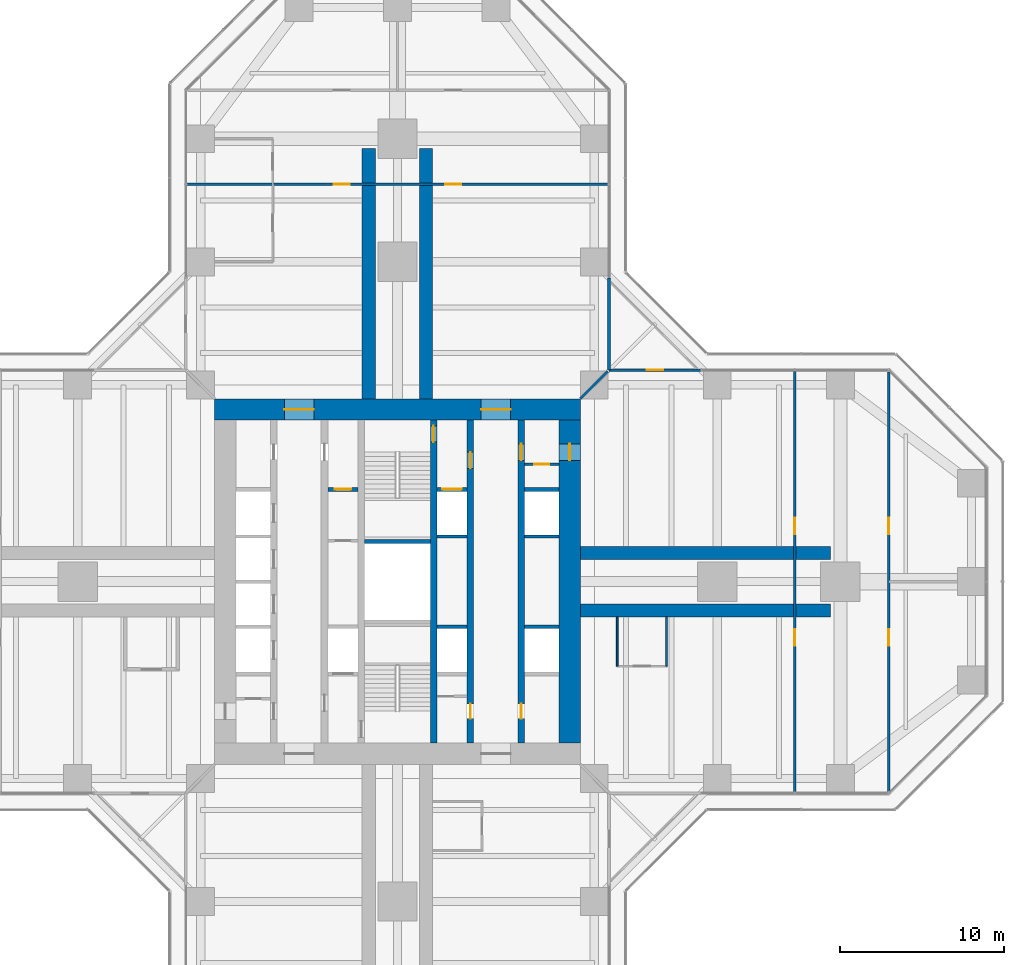
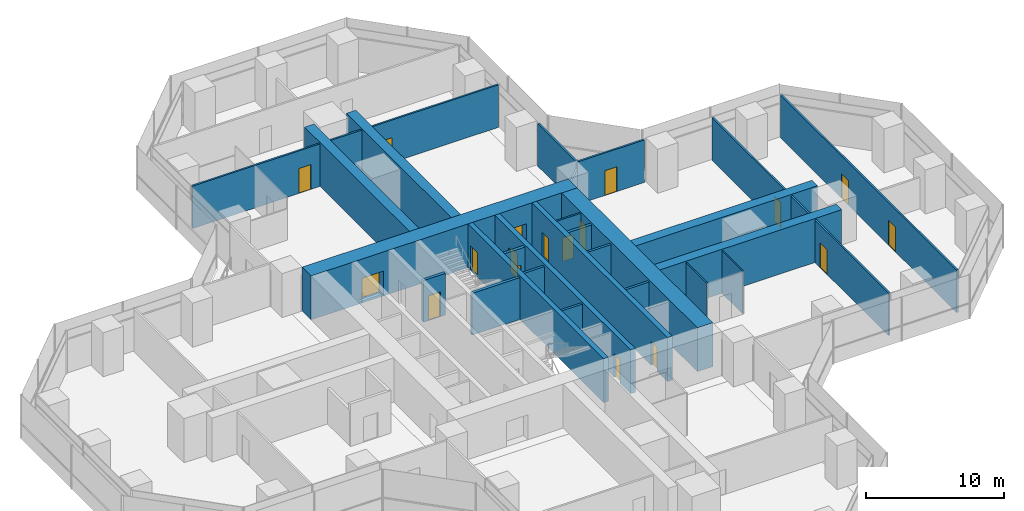
# One storey, part 19 of 22: 26 walls, 18 doors, 18 openings.
"""IFC4 building model written with IfcOpenShell, lengths in metres."""

from ifc_helpers import new_model, si_unit, direction, frame, frame_2d, origin, place, context, subcontext, project, spatial, rectangle, extrude, material, layer, layer_set, type_object, element, fill, save


model = new_model("IFC4")

# Units and contexts
model_context = context("Model", 3, precision=1e-05, world=origin(), true_north=direction((0.0, 1.0)))
body_context = subcontext(model_context, "Body", "Model", "MODEL_VIEW")
ifc_project = project(units=[si_unit("LENGTHUNIT", "METRE"), si_unit("AREAUNIT", "SQUARE_METRE"), si_unit("VOLUMEUNIT", "CUBIC_METRE"), si_unit("PLANEANGLEUNIT", "RADIAN"), si_unit("MASSUNIT", "GRAM", prefix="KILO")], contexts=[model_context])

# Site, building, storey
site_placement = place(None, origin())
site = spatial("IfcSite", under=ifc_project, at=site_placement, CompositionType="ELEMENT")
building_placement = place(site_placement, origin())
building = spatial("IfcBuilding", under=site, at=building_placement, Name="Mizan Broadcast Tower", CompositionType="ELEMENT")
storey_placement = place(building_placement, frame((0.0, 0.0, 105.89990234375)))
storey = spatial("IfcBuildingStorey", under=building, at=storey_placement, Name="L23", CompositionType="ELEMENT", Elevation=105.89990234375)

# Wall, openings, doors
ifc_material_1 = material(Name="Concrete C70/85", Category="concrete")
ifc_layer_1 = layer(ifc_material_1, 0.39990234375)
ifc_layer_set_1 = layer_set([ifc_layer_1], Name="Concrete C70/85")
wall_type_1 = type_object("IfcWallType", Name="CORE INTERNAL WALL 400", PredefinedType="SHEAR", material=ifc_layer_set_1)
wall_1_placement = place(storey_placement, frame((7.550048828125, 9.85009765625, 0.0), z_axis=(0.0, 0.0, 1.0), x_axis=(0.0, -1.0, 0.0)))
wall_1 = element("IfcWall", 1, at=wall_1_placement, inside=storey, type_object=wall_type_1, Name="Core wall CORE/XW1E", PredefinedType="SHEAR", context=body_context, shape_type="SweptSolid", body=[
    extrude(rectangle(XDim=19.7001953125, YDim=0.39990234375, at=frame_2d((9.85009765625, 0.0))), origin(), (0.0, 0.0, 1.0), 3.900146484375),
])
opening_1_placement = place(wall_1_placement, frame((1.449951171875, 0.0, 0.0)))
opening_1 = element("IfcOpeningElement", 2, at=opening_1_placement, cuts=wall_1, Name="Opening D10F", PredefinedType="OPENING", context=body_context, shape_type="SweptSolid", body=[
    extrude(rectangle(XDim=1.0, YDim=2.199951171875, at=frame_2d((0.5, 1.10009765625))), frame((0.0, 0.2099609375, 0.0), z_axis=(0.0, -1.0, 0.0), x_axis=(1.0, 0.0, 0.0)), (0.0, 0.0, 1.0), 0.419921875),
])
opening_2_placement = place(wall_1_placement, frame((17.300048828125, 0.0, 0.0)))
opening_2 = element("IfcOpeningElement", 3, at=opening_2_placement, cuts=wall_1, Name="Opening D09", PredefinedType="OPENING", context=body_context, shape_type="SweptSolid", body=[
    extrude(rectangle(XDim=0.89990234375, YDim=2.10009765625, at=frame_2d((0.449951171875, 1.050048828125))), frame((0.0, 0.2099609375, 0.0), z_axis=(0.0, -1.0, 0.0), x_axis=(1.0, 0.0, 0.0)), (0.0, 0.0, 1.0), 0.419921875),
])
ifc_material_2 = material(Name="Steel door leaf in steel frame", Category="steel")
door_type_1 = type_object("IfcDoorType", Name="FIRE DOOR 1000 FD90", OperationType="SINGLE_SWING_LEFT", PredefinedType="DOOR", material=ifc_material_2)
door_1_placement = place(opening_1_placement, origin())
door_1 = element("IfcDoor", 4, at=door_1_placement, inside=storey, type_object=door_type_1, Name="East core passage door", OperationType="SINGLE_SWING_LEFT", OverallHeight=2.199951171875, OverallWidth=1.0, PredefinedType="DOOR", context=body_context, shape_type="SweptSolid", body=[
    extrude(rectangle(XDim=1.0, YDim=2.199951171875, at=frame_2d((0.5, 1.10009765625))), frame((0.0, 0.02490234375, 0.0), z_axis=(0.0, -1.0, 0.0), x_axis=(1.0, 0.0, 0.0)), (0.0, 0.0, 1.0), 0.050048828125),
])
fill(opening_1, door_1)
ifc_material_3 = material(Name="Timber door leaf in aluminium frame", Category="wood")
door_type_2 = type_object("IfcDoorType", Name="TOILET DOOR 900", OperationType="SINGLE_SWING_LEFT", PredefinedType="DOOR", material=ifc_material_3)
door_2_placement = place(opening_2_placement, origin())
door_2 = element("IfcDoor", 5, at=door_2_placement, inside=storey, type_object=door_type_2, Name="Female WC door", OperationType="SINGLE_SWING_RIGHT", OverallHeight=2.10009765625, OverallWidth=0.89990234375, PredefinedType="DOOR", context=body_context, shape_type="SweptSolid", body=[
    extrude(rectangle(XDim=0.89990234375, YDim=2.10009765625, at=frame_2d((0.449951171875, 1.050048828125))), frame((0.0, 0.02490234375, 0.0), z_axis=(0.0, -1.0, 0.0), x_axis=(1.0, 0.0, 0.0)), (0.0, 0.0, 1.0), 0.050048828125),
])
fill(opening_2, door_2)

wall_2_placement = place(storey_placement, frame((4.449951171875, 9.85009765625, 0.0), z_axis=(0.0, 0.0, 1.0), x_axis=(0.0, -1.0, 0.0)))
wall_2 = element("IfcWall", 6, at=wall_2_placement, inside=storey, type_object=wall_type_1, Name="Core wall CORE/XWHE", PredefinedType="SHEAR", context=body_context, shape_type="SweptSolid", body=[
    extrude(rectangle(XDim=19.7001953125, YDim=0.39990234375, at=frame_2d((9.85009765625, 0.0))), origin(), (0.0, 0.0, 1.0), 3.900146484375),
])
opening_3_placement = place(wall_2_placement, frame((1.949951171875, 0.0, 0.0)))
opening_3 = element("IfcOpeningElement", 7, at=opening_3_placement, cuts=wall_2, Name="Opening D10F", PredefinedType="OPENING", context=body_context, shape_type="SweptSolid", body=[
    extrude(rectangle(XDim=1.0, YDim=2.199951171875, at=frame_2d((0.5, 1.10009765625))), frame((0.0, 0.2099609375, 0.0), z_axis=(0.0, -1.0, 0.0), x_axis=(1.0, 0.0, 0.0)), (0.0, 0.0, 1.0), 0.419921875),
])
opening_4_placement = place(wall_2_placement, frame((17.300048828125, 0.0, 0.0)))
opening_4 = element("IfcOpeningElement", 8, at=opening_4_placement, cuts=wall_2, Name="Opening D09", PredefinedType="OPENING", context=body_context, shape_type="SweptSolid", body=[
    extrude(rectangle(XDim=0.89990234375, YDim=2.10009765625, at=frame_2d((0.449951171875, 1.050048828125))), frame((0.0, 0.2099609375, 0.0), z_axis=(0.0, -1.0, 0.0), x_axis=(1.0, 0.0, 0.0)), (0.0, 0.0, 1.0), 0.419921875),
])
door_3_placement = place(opening_3_placement, origin())
door_3 = element("IfcDoor", 9, at=door_3_placement, inside=storey, type_object=door_type_1, Name="Firefighting lobby B door", OperationType="SINGLE_SWING_LEFT", OverallHeight=2.199951171875, OverallWidth=1.0, PredefinedType="DOOR", context=body_context, shape_type="SweptSolid", body=[
    extrude(rectangle(XDim=1.0, YDim=2.199951171875, at=frame_2d((0.5, 1.10009765625))), frame((0.0, 0.02490234375, 0.0), z_axis=(0.0, -1.0, 0.0), x_axis=(1.0, 0.0, 0.0)), (0.0, 0.0, 1.0), 0.050048828125),
])
fill(opening_3, door_3)
door_4_placement = place(opening_4_placement, origin())
door_4 = element("IfcDoor", 10, at=door_4_placement, inside=storey, type_object=door_type_2, Name="Cleaner's store door", OperationType="SINGLE_SWING_RIGHT", OverallHeight=2.10009765625, OverallWidth=0.89990234375, PredefinedType="DOOR", context=body_context, shape_type="SweptSolid", body=[
    extrude(rectangle(XDim=0.89990234375, YDim=2.10009765625, at=frame_2d((0.449951171875, 1.050048828125))), frame((0.0, 0.02490234375, 0.0), z_axis=(0.0, -1.0, 0.0), x_axis=(1.0, 0.0, 0.0)), (0.0, 0.0, 1.0), 0.050048828125),
])
fill(opening_4, door_4)

# Wall, opening, door
wall_3_placement = place(storey_placement, frame((2.199951171875, 9.85009765625, 0.0), z_axis=(0.0, 0.0, 1.0), x_axis=(0.0, -1.0, 0.0)))
wall_3 = element("IfcWall", 11, at=wall_3_placement, inside=storey, type_object=wall_type_1, Name="Core wall CORE/XW2E", PredefinedType="SHEAR", context=body_context, shape_type="SweptSolid", body=[
    extrude(rectangle(XDim=19.7001953125, YDim=0.39990234375, at=frame_2d((9.85009765625, 0.0))), origin(), (0.0, 0.0, 1.0), 3.900146484375),
])
opening_5_placement = place(wall_3_placement, frame((0.35009765625, 0.0, 0.0)))
opening_5 = element("IfcOpeningElement", 12, at=opening_5_placement, cuts=wall_3, Name="Opening D10S", PredefinedType="OPENING", context=body_context, shape_type="SweptSolid", body=[
    extrude(rectangle(XDim=1.0, YDim=2.199951171875, at=frame_2d((0.5, 1.10009765625))), frame((0.0, 0.2099609375, 0.0), z_axis=(0.0, -1.0, 0.0), x_axis=(1.0, 0.0, 0.0)), (0.0, 0.0, 1.0), 0.419921875),
])
ifc_material_4 = material(Name="Steel door leaf in steel frame", Category="steel")
door_type_3 = type_object("IfcDoorType", Name="STAIR DOOR 1000 FD90S", OperationType="SINGLE_SWING_RIGHT", PredefinedType="DOOR", material=ifc_material_4)
door_5_placement = place(opening_5_placement, origin())
door_5 = element("IfcDoor", 13, at=door_5_placement, inside=storey, type_object=door_type_3, Name="Stair B door", OperationType="SINGLE_SWING_RIGHT", OverallHeight=2.199951171875, OverallWidth=1.0, PredefinedType="DOOR", context=body_context, shape_type="SweptSolid", body=[
    extrude(rectangle(XDim=1.0, YDim=2.199951171875, at=frame_2d((0.5, 1.10009765625))), frame((0.0, 0.02490234375, 0.0), z_axis=(0.0, -1.0, 0.0), x_axis=(1.0, 0.0, 0.0)), (0.0, 0.0, 1.0), 0.050048828125),
])
fill(opening_5, door_5)

ifc_material_5 = material(Name="Concrete blockwork", Category="masonry")
ifc_layer_2 = layer(ifc_material_5, 0.14990234375)
ifc_layer_set_2 = layer_set([ifc_layer_2], Name="Concrete blockwork")
wall_type_2 = type_object("IfcWallType", Name="CORE PARTITION 150", PredefinedType="SOLIDWALL", material=ifc_layer_set_2)
wall_4_placement = place(storey_placement, frame((9.85009765625, 7.14990234375, 0.0), z_axis=(0.0, 0.0, 1.0), x_axis=(-1.0, 0.0, 0.0)))
wall_4 = element("IfcWall", 14, at=wall_4_placement, inside=storey, type_object=wall_type_2, Name="Core partition CORE/XPE", PredefinedType="SOLIDWALL", context=body_context, shape_type="SweptSolid", body=[
    extrude(rectangle(XDim=2.10009765625, YDim=0.14990234375, at=frame_2d((1.050048828125, 0.0))), origin(), (0.0, 0.0, 1.0), 3.77001953125),
])
opening_6_placement = place(wall_4_placement, frame((0.60009765625, 0.0, 0.0)))
opening_6 = element("IfcOpeningElement", 15, at=opening_6_placement, cuts=wall_4, Name="Opening D09F", PredefinedType="OPENING", context=body_context, shape_type="SweptSolid", body=[
    extrude(rectangle(XDim=0.89990234375, YDim=2.10009765625, at=frame_2d((0.449951171875, 1.050048828125))), frame((0.0, 0.0849609375, 0.0), z_axis=(0.0, -1.0, 0.0), x_axis=(1.0, 0.0, 0.0)), (0.0, 0.0, 1.0), 0.169921875),
])
ifc_material_6 = material(Name="Steel door leaf in steel frame", Category="steel")
door_type_4 = type_object("IfcDoorType", Name="CORE ROOM DOOR 900 FD90", OperationType="SINGLE_SWING_LEFT", PredefinedType="DOOR", material=ifc_material_6)
door_6_placement = place(opening_6_placement, origin())
door_6 = element("IfcDoor", 16, at=door_6_placement, inside=storey, type_object=door_type_4, Name="Electrical cupboard door", OperationType="SINGLE_SWING_RIGHT", OverallHeight=2.10009765625, OverallWidth=0.89990234375, PredefinedType="DOOR", context=body_context, shape_type="SweptSolid", body=[
    extrude(rectangle(XDim=0.89990234375, YDim=2.10009765625, at=frame_2d((0.449951171875, 1.050048828125))), frame((0.0, 0.02490234375, 0.0), z_axis=(0.0, -1.0, 0.0), x_axis=(1.0, 0.0, 0.0)), (0.0, 0.0, 1.0), 0.050048828125),
])
fill(opening_6, door_6)

# Wall, openings, doors
ifc_material_7 = material(Name="Concrete C70/85", Category="concrete")
ifc_layer_3 = layer(ifc_material_7, 1.300048828125)
ifc_layer_set_3 = layer_set([ifc_layer_3], Name="Concrete C70/85")
wall_type_3 = type_object("IfcWallType", Name="CORE WALL 1300", PredefinedType="SHEAR", material=ifc_layer_set_3)
wall_5_placement = place(storey_placement, frame((-11.14990234375, 10.5, 0.0), z_axis=(0.0, 0.0, 1.0), x_axis=(1.0, 0.0, 0.0)))
wall_5 = element("IfcWall", 17, at=wall_5_placement, inside=storey, type_object=wall_type_3, Name="Core wall N L23", PredefinedType="SHEAR", context=body_context, shape_type="SweptSolid", body=[
    extrude(rectangle(XDim=22.2998046875, YDim=1.300048828125, at=frame_2d((11.14990234375, 0.0))), origin(), (0.0, 0.0, 1.0), 3.900146484375),
])
opening_7_placement = place(wall_5_placement, frame((4.25, 0.0, 0.0)))
opening_7 = element("IfcOpeningElement", 18, at=opening_7_placement, cuts=wall_5, Name="Opening D18F", PredefinedType="OPENING", context=body_context, shape_type="SweptSolid", body=[
    extrude(rectangle(XDim=1.800048828125, YDim=2.199951171875, at=frame_2d((0.89990234375, 1.10009765625))), frame((0.0, 0.659912109375, 0.0), z_axis=(0.0, -1.0, 0.0), x_axis=(1.0, 0.0, 0.0)), (0.0, 0.0, 1.0), 1.320068359375),
])
opening_8_placement = place(wall_5_placement, frame((16.25, 0.0, 0.0)))
opening_8 = element("IfcOpeningElement", 19, at=opening_8_placement, cuts=wall_5, Name="Opening D18F", PredefinedType="OPENING", context=body_context, shape_type="SweptSolid", body=[
    extrude(rectangle(XDim=1.800048828125, YDim=2.199951171875, at=frame_2d((0.89990234375, 1.10009765625))), frame((0.0, 0.659912109375, 0.0), z_axis=(0.0, -1.0, 0.0), x_axis=(1.0, 0.0, 0.0)), (0.0, 0.0, 1.0), 1.320068359375),
])
ifc_material_8 = material(Name="Steel door leaf in steel frame", Category="steel")
door_type_5 = type_object("IfcDoorType", Name="LOBBY DOUBLE DOOR 1800 FD90", OperationType="DOUBLE_DOOR_DOUBLE_SWING", PredefinedType="DOOR", material=ifc_material_8)
door_7_placement = place(opening_7_placement, origin())
door_7 = element("IfcDoor", 20, at=door_7_placement, inside=storey, type_object=door_type_5, Name="West lift lobby north door", OperationType="DOUBLE_DOOR_DOUBLE_SWING", OverallHeight=2.199951171875, OverallWidth=1.800048828125, PredefinedType="DOOR", context=body_context, shape_type="SweptSolid", body=[
    extrude(rectangle(XDim=1.800048828125, YDim=2.199951171875, at=frame_2d((0.89990234375, 1.10009765625))), frame((0.0, 0.02490234375, 0.0), z_axis=(0.0, -1.0, 0.0), x_axis=(1.0, 0.0, 0.0)), (0.0, 0.0, 1.0), 0.050048828125),
])
fill(opening_7, door_7)
door_8_placement = place(opening_8_placement, origin())
door_8 = element("IfcDoor", 21, at=door_8_placement, inside=storey, type_object=door_type_5, Name="East lift lobby north door", OperationType="DOUBLE_DOOR_DOUBLE_SWING", OverallHeight=2.199951171875, OverallWidth=1.800048828125, PredefinedType="DOOR", context=body_context, shape_type="SweptSolid", body=[
    extrude(rectangle(XDim=1.800048828125, YDim=2.199951171875, at=frame_2d((0.89990234375, 1.10009765625))), frame((0.0, 0.02490234375, 0.0), z_axis=(0.0, -1.0, 0.0), x_axis=(1.0, 0.0, 0.0)), (0.0, 0.0, 1.0), 0.050048828125),
])
fill(opening_8, door_8)

# Wall, opening, door
wall_6_placement = place(storey_placement, frame((10.5, -9.85009765625, 0.0), z_axis=(0.0, 0.0, 1.0), x_axis=(0.0, 1.0, 0.0)))
wall_6 = element("IfcWall", 22, at=wall_6_placement, inside=storey, type_object=wall_type_3, Name="Core wall E L23", PredefinedType="SHEAR", context=body_context, shape_type="SweptSolid", body=[
    extrude(rectangle(XDim=19.7001953125, YDim=1.300048828125, at=frame_2d((9.85009765625, 0.0))), origin(), (0.0, 0.0, 1.0), 3.900146484375),
])
opening_9_placement = place(wall_6_placement, frame((17.25, 0.0, 0.0)))
opening_9 = element("IfcOpeningElement", 23, at=opening_9_placement, cuts=wall_6, Name="Opening D10F", PredefinedType="OPENING", context=body_context, shape_type="SweptSolid", body=[
    extrude(rectangle(XDim=1.0, YDim=2.199951171875, at=frame_2d((0.5, 1.10009765625))), frame((0.0, 0.659912109375, 0.0), z_axis=(0.0, -1.0, 0.0), x_axis=(1.0, 0.0, 0.0)), (0.0, 0.0, 1.0), 1.320068359375),
])
door_9_placement = place(opening_9_placement, origin())
door_9 = element("IfcDoor", 24, at=door_9_placement, inside=storey, type_object=door_type_1, Name="East core passage arm door", OperationType="SINGLE_SWING_RIGHT", OverallHeight=2.199951171875, OverallWidth=1.0, PredefinedType="DOOR", context=body_context, shape_type="SweptSolid", body=[
    extrude(rectangle(XDim=1.0, YDim=2.199951171875, at=frame_2d((0.5, 1.10009765625))), frame((0.0, 0.02490234375, 0.0), z_axis=(0.0, -1.0, 0.0), x_axis=(1.0, 0.0, 0.0)), (0.0, 0.0, 1.0), 0.050048828125),
])
fill(opening_9, door_9)

ifc_material_9 = material(Name="Aluminium framed glazed screen", Category="aluminium")
ifc_layer_4 = layer(ifc_material_9, 0.159912109375)
ifc_layer_set_4 = layer_set([ifc_layer_4], Name="Aluminium framed glazed screen")
wall_type_4 = type_object("IfcWallType", Name="GLAZED SCREEN WALL 160", PredefinedType="SOLIDWALL", material=ifc_layer_set_4)
wall_7_placement = place(storey_placement, frame((18.5, 12.89990234375, 0.0), z_axis=(0.0, 0.0, 1.0), x_axis=(-1.0, 0.0, 0.0)))
wall_7 = element("IfcWall", 25, at=wall_7_placement, inside=storey, type_object=wall_type_4, Name="Winter garden screen L23 E", PredefinedType="SOLIDWALL", context=body_context, shape_type="SweptSolid", body=[
    extrude(rectangle(XDim=5.60009765625, YDim=0.159912109375, at=frame_2d((2.800048828125, 0.0))), origin(), (0.0, 0.0, 1.0), 3.77001953125),
])
opening_10_placement = place(wall_7_placement, frame((2.300048828125, 0.0, 0.0)))
opening_10 = element("IfcOpeningElement", 26, at=opening_10_placement, cuts=wall_7, Name="Opening WGD", PredefinedType="OPENING", context=body_context, shape_type="SweptSolid", body=[
    extrude(rectangle(XDim=1.0, YDim=2.199951171875, at=frame_2d((0.5, 1.10009765625))), frame((0.0, 0.08984375, 0.0), z_axis=(0.0, -1.0, 0.0), x_axis=(1.0, 0.0, 0.0)), (0.0, 0.0, 1.0), 0.179931640625),
])
ifc_material_10 = material(Name="Aluminium framed glazed door", Category="aluminium")
door_type_6 = type_object("IfcDoorType", Name="WINTER GARDEN DOOR 1000 GLAZED", OperationType="SINGLE_SWING_LEFT", PredefinedType="DOOR", material=ifc_material_10)
door_10_placement = place(opening_10_placement, origin())
door_10 = element("IfcDoor", 27, at=door_10_placement, inside=storey, type_object=door_type_6, Name="Winter garden door L23 E", OperationType="SINGLE_SWING_RIGHT", OverallHeight=2.199951171875, OverallWidth=1.0, PredefinedType="DOOR", context=body_context, shape_type="SweptSolid", body=[
    extrude(rectangle(XDim=1.0, YDim=2.199951171875, at=frame_2d((0.5, 1.10009765625))), frame((0.0, 0.02490234375, 0.0), z_axis=(0.0, -1.0, 0.0), x_axis=(1.0, 0.0, 0.0)), (0.0, 0.0, 1.0), 0.050048828125),
])
fill(opening_10, door_10)

# Walls
wall_8_placement = place(storey_placement, frame((12.89990234375, 12.89990234375, 0.0), z_axis=(0.0, 0.0, 1.0), x_axis=(0.0, 1.0, 0.0)))
element("IfcWall", 28, at=wall_8_placement, inside=storey, type_object=wall_type_4, Name="Winter garden screen L23 N", PredefinedType="SOLIDWALL", context=body_context, shape_type="SweptSolid", body=[
    extrude(rectangle(XDim=5.60009765625, YDim=0.159912109375, at=frame_2d((2.800048828125, 0.0))), origin(), (0.0, 0.0, 1.0), 3.77001953125),
])
ifc_material_11 = material(Name="Concrete blockwork", Category="masonry")
ifc_layer_5 = layer(ifc_material_11, 0.199951171875)
ifc_layer_set_5 = layer_set([ifc_layer_5], Name="Concrete blockwork")
wall_type_5 = type_object("IfcWallType", Name="LIFT SHAFT WALL 200", PredefinedType="SOLIDWALL", material=ifc_layer_set_5)
wall_9_placement = place(storey_placement, frame((2.39990234375, -2.75, 0.0), z_axis=(0.0, 0.0, 1.0), x_axis=(1.0, 0.0, 0.0)))
element("IfcWall", 29, at=wall_9_placement, inside=storey, type_object=wall_type_5, Name="Lift shaft wall CORE/SE2-1", PredefinedType="SOLIDWALL", context=body_context, shape_type="SweptSolid", body=[
    extrude(rectangle(XDim=1.85009765625, YDim=0.199951171875, at=frame_2d((0.925048828125, 0.0))), origin(), (0.0, 0.0, 1.0), 3.7001953125),
])
wall_10_placement = place(storey_placement, frame((7.75, -2.75, 0.0), z_axis=(0.0, 0.0, 1.0), x_axis=(1.0, 0.0, 0.0)))
element("IfcWall", 30, at=wall_10_placement, inside=storey, type_object=wall_type_5, Name="Lift shaft wall CORE/SE1-1", PredefinedType="SOLIDWALL", context=body_context, shape_type="SweptSolid", body=[
    extrude(rectangle(XDim=2.10009765625, YDim=0.199951171875, at=frame_2d((1.050048828125, 0.0))), origin(), (0.0, 0.0, 1.0), 3.7001953125),
])
wall_11_placement = place(storey_placement, frame((2.39990234375, 2.75, 0.0), z_axis=(0.0, 0.0, 1.0), x_axis=(1.0, 0.0, 0.0)))
element("IfcWall", 31, at=wall_11_placement, inside=storey, type_object=wall_type_5, Name="Lift shaft wall CORE/SE2-3", PredefinedType="SOLIDWALL", context=body_context, shape_type="SweptSolid", body=[
    extrude(rectangle(XDim=1.85009765625, YDim=0.199951171875, at=frame_2d((0.925048828125, 0.0))), origin(), (0.0, 0.0, 1.0), 3.7001953125),
])
wall_12_placement = place(storey_placement, frame((7.75, 2.75, 0.0), z_axis=(0.0, 0.0, 1.0), x_axis=(1.0, 0.0, 0.0)))
element("IfcWall", 32, at=wall_12_placement, inside=storey, type_object=wall_type_5, Name="Lift shaft wall CORE/SE1-3", PredefinedType="SOLIDWALL", context=body_context, shape_type="SweptSolid", body=[
    extrude(rectangle(XDim=2.10009765625, YDim=0.199951171875, at=frame_2d((1.050048828125, 0.0))), origin(), (0.0, 0.0, 1.0), 3.7001953125),
])

# Wall, opening, door
ifc_material_12 = material(Name="Concrete blockwork", Category="masonry")
ifc_layer_6 = layer(ifc_material_12, 0.25)
ifc_layer_set_6 = layer_set([ifc_layer_6], Name="Concrete blockwork")
wall_type_6 = type_object("IfcWallType", Name="LOBBY ENCLOSURE WALL 250", PredefinedType="SOLIDWALL", material=ifc_layer_set_6)
wall_13_placement = place(storey_placement, frame((-4.25, 5.625, 0.0), z_axis=(0.0, 0.0, 1.0), x_axis=(1.0, 0.0, 0.0)))
wall_13 = element("IfcWall", 33, at=wall_13_placement, inside=storey, type_object=wall_type_6, Name="Lobby enclosure wall CORE/BW2N", PredefinedType="SOLIDWALL", context=body_context, shape_type="SweptSolid", body=[
    extrude(rectangle(XDim=1.85009765625, YDim=0.25, at=frame_2d((0.925048828125, 0.0))), origin(), (0.0, 0.0, 1.0), 3.7001953125),
])
opening_11_placement = place(wall_13_placement, frame((0.425048828125, 0.0, 0.0)))
opening_11 = element("IfcOpeningElement", 34, at=opening_11_placement, cuts=wall_13, Name="Opening D10F", PredefinedType="OPENING", context=body_context, shape_type="SweptSolid", body=[
    extrude(rectangle(XDim=1.0, YDim=2.199951171875, at=frame_2d((0.5, 1.10009765625))), frame((0.0, 0.135009765625, 0.0), z_axis=(0.0, -1.0, 0.0), x_axis=(1.0, 0.0, 0.0)), (0.0, 0.0, 1.0), 0.27001953125),
])
door_11_placement = place(opening_11_placement, origin())
door_11 = element("IfcDoor", 35, at=door_11_placement, inside=storey, type_object=door_type_1, Name="Baby change room door", OperationType="SINGLE_SWING_RIGHT", OverallHeight=2.199951171875, OverallWidth=1.0, PredefinedType="DOOR", context=body_context, shape_type="SweptSolid", body=[
    extrude(rectangle(XDim=1.0, YDim=2.199951171875, at=frame_2d((0.5, 1.10009765625))), frame((0.0, 0.02490234375, 0.0), z_axis=(0.0, -1.0, 0.0), x_axis=(1.0, 0.0, 0.0)), (0.0, 0.0, 1.0), 0.050048828125),
])
fill(opening_11, door_11)

wall_14_placement = place(storey_placement, frame((2.39990234375, 5.625, 0.0), z_axis=(0.0, 0.0, 1.0), x_axis=(1.0, 0.0, 0.0)))
wall_14 = element("IfcWall", 36, at=wall_14_placement, inside=storey, type_object=wall_type_6, Name="Lobby enclosure wall CORE/BE2N", PredefinedType="SOLIDWALL", context=body_context, shape_type="SweptSolid", body=[
    extrude(rectangle(XDim=1.85009765625, YDim=0.25, at=frame_2d((0.925048828125, 0.0))), origin(), (0.0, 0.0, 1.0), 3.7001953125),
])
opening_12_placement = place(wall_14_placement, frame((0.324951171875, 0.0, 0.0)))
opening_12 = element("IfcOpeningElement", 37, at=opening_12_placement, cuts=wall_14, Name="Opening LDF", PredefinedType="OPENING", context=body_context, shape_type="SweptSolid", body=[
    extrude(rectangle(XDim=1.199951171875, YDim=2.199951171875, at=frame_2d((0.60009765625, 1.10009765625))), frame((0.0, 0.135009765625, 0.0), z_axis=(0.0, -1.0, 0.0), x_axis=(1.0, 0.0, 0.0)), (0.0, 0.0, 1.0), 0.27001953125),
])
ifc_material_13 = material(Name="Steel door leaf in steel frame", Category="steel")
door_type_7 = type_object("IfcDoorType", Name="FIREFIGHTING LIFT LANDING DOOR 1200", OperationType="SLIDING_TO_LEFT", PredefinedType="DOOR", material=ifc_material_13)
door_12_placement = place(opening_12_placement, origin())
door_12 = element("IfcDoor", 38, at=door_12_placement, inside=storey, type_object=door_type_7, Name="Landing door FF2", OperationType="SLIDING_TO_LEFT", OverallHeight=2.199951171875, OverallWidth=1.199951171875, PredefinedType="DOOR", context=body_context, shape_type="SweptSolid", body=[
    extrude(rectangle(XDim=1.199951171875, YDim=2.199951171875, at=frame_2d((0.60009765625, 1.10009765625))), frame((0.0, 0.02490234375, 0.0), z_axis=(0.0, -1.0, 0.0), x_axis=(1.0, 0.0, 0.0)), (0.0, 0.0, 1.0), 0.050048828125),
])
fill(opening_12, door_12)

# Walls
wall_15_placement = place(storey_placement, frame((7.75, 5.625, 0.0), z_axis=(0.0, 0.0, 1.0), x_axis=(1.0, 0.0, 0.0)))
element("IfcWall", 39, at=wall_15_placement, inside=storey, type_object=wall_type_6, Name="Lobby enclosure wall CORE/BE1N", PredefinedType="SOLIDWALL", context=body_context, shape_type="SweptSolid", body=[
    extrude(rectangle(XDim=2.10009765625, YDim=0.25, at=frame_2d((1.050048828125, 0.0))), origin(), (0.0, 0.0, 1.0), 3.7001953125),
])
wall_16_placement = place(storey_placement, frame((-2.0, 2.449951171875, 0.0), z_axis=(0.0, 0.0, 1.0), x_axis=(1.0, 0.0, 0.0)))
element("IfcWall", 40, at=wall_16_placement, inside=storey, type_object=wall_type_6, Name="Lobby enclosure wall CORE/STB", PredefinedType="SOLIDWALL", context=body_context, shape_type="SweptSolid", body=[
    extrude(rectangle(XDim=4.0, YDim=0.25, at=frame_2d((2.0, 0.0))), origin(), (0.0, 0.0, 1.0), 3.7001953125),
])

# Wall, openings, doors
ifc_material_14 = material(Name="Gypsum board on steel studs", Category="steel")
ifc_layer_7 = layer(ifc_material_14, 0.14990234375)
ifc_layer_set_7 = layer_set([ifc_layer_7], Name="Gypsum board on steel studs")
wall_type_7 = type_object("IfcWallType", Name="PARTITION 150", PredefinedType="PARTITIONING", material=ifc_layer_set_7)
wall_17_placement = place(storey_placement, frame((24.22900390625, -12.820068359375, 0.0), z_axis=(0.0, 0.0, 1.0), x_axis=(0.0, 1.0, 0.0)))
wall_17 = element("IfcWall", 41, at=wall_17_placement, inside=storey, type_object=wall_type_7, Name="Partition PT/EX1", PredefinedType="PARTITIONING", context=body_context, shape_type="SweptSolid", body=[
    extrude(rectangle(XDim=25.64013671875, YDim=0.14990234375, at=frame_2d((12.820068359375, 0.0))), origin(), (0.0, 0.0, 1.0), 3.77001953125),
])
opening_13_placement = place(wall_17_placement, frame((15.719970703125, 0.0, 0.0)))
opening_13 = element("IfcOpeningElement", 42, at=opening_13_placement, cuts=wall_17, Name="Opening D10", PredefinedType="OPENING", context=body_context, shape_type="SweptSolid", body=[
    extrude(rectangle(XDim=1.0, YDim=2.199951171875, at=frame_2d((0.5, 1.10009765625))), frame((0.0, 0.0849609375, 0.0), z_axis=(0.0, -1.0, 0.0), x_axis=(1.0, 0.0, 0.0)), (0.0, 0.0, 1.0), 0.169921875),
])
opening_14_placement = place(wall_17_placement, frame((8.919921875, 0.0, 0.0)))
opening_14 = element("IfcOpeningElement", 43, at=opening_14_placement, cuts=wall_17, Name="Opening D10", PredefinedType="OPENING", context=body_context, shape_type="SweptSolid", body=[
    extrude(rectangle(XDim=1.0, YDim=2.199951171875, at=frame_2d((0.5, 1.10009765625))), frame((0.0, 0.0849609375, 0.0), z_axis=(0.0, -1.0, 0.0), x_axis=(1.0, 0.0, 0.0)), (0.0, 0.0, 1.0), 0.169921875),
])
ifc_material_15 = material(Name="Timber door leaf in aluminium frame", Category="wood")
door_type_8 = type_object("IfcDoorType", Name="ROOM DOOR 1000", OperationType="SINGLE_SWING_LEFT", PredefinedType="DOOR", material=ifc_material_15)
door_13_placement = place(opening_13_placement, origin())
door_13 = element("IfcDoor", 44, at=door_13_placement, inside=storey, type_object=door_type_8, Name="Training room door", OperationType="SINGLE_SWING_RIGHT", OverallHeight=2.199951171875, OverallWidth=1.0, PredefinedType="DOOR", context=body_context, shape_type="SweptSolid", body=[
    extrude(rectangle(XDim=1.0, YDim=2.199951171875, at=frame_2d((0.5, 1.10009765625))), frame((0.0, 0.02490234375, 0.0), z_axis=(0.0, -1.0, 0.0), x_axis=(1.0, 0.0, 0.0)), (0.0, 0.0, 1.0), 0.050048828125),
])
fill(opening_13, door_13)
door_14_placement = place(opening_14_placement, origin())
door_14 = element("IfcDoor", 45, at=door_14_placement, inside=storey, type_object=door_type_8, Name="Training room door", OperationType="SINGLE_SWING_LEFT", OverallHeight=2.199951171875, OverallWidth=1.0, PredefinedType="DOOR", context=body_context, shape_type="SweptSolid", body=[
    extrude(rectangle(XDim=1.0, YDim=2.199951171875, at=frame_2d((0.5, 1.10009765625))), frame((0.0, 0.02490234375, 0.0), z_axis=(0.0, -1.0, 0.0), x_axis=(1.0, 0.0, 0.0)), (0.0, 0.0, 1.0), 0.050048828125),
])
fill(opening_14, door_14)

wall_18_placement = place(storey_placement, frame((29.958984375, -12.786376953125, 0.0), z_axis=(0.0, 0.0, 1.0), x_axis=(0.0, 1.0, 0.0)))
wall_18 = element("IfcWall", 46, at=wall_18_placement, inside=storey, type_object=wall_type_7, Name="Partition PT/EX2", PredefinedType="PARTITIONING", context=body_context, shape_type="SweptSolid", body=[
    extrude(rectangle(XDim=25.57275390625, YDim=0.14990234375, at=frame_2d((12.786376953125, 0.0))), origin(), (0.0, 0.0, 1.0), 3.77001953125),
])
opening_15_placement = place(wall_18_placement, frame((15.6865234375, 0.0, 0.0)))
opening_15 = element("IfcOpeningElement", 47, at=opening_15_placement, cuts=wall_18, Name="Opening D10", PredefinedType="OPENING", context=body_context, shape_type="SweptSolid", body=[
    extrude(rectangle(XDim=1.0, YDim=2.199951171875, at=frame_2d((0.5, 1.10009765625))), frame((0.0, 0.0849609375, 0.0), z_axis=(0.0, -1.0, 0.0), x_axis=(1.0, 0.0, 0.0)), (0.0, 0.0, 1.0), 0.169921875),
])
opening_16_placement = place(wall_18_placement, frame((8.886474609375, 0.0, 0.0)))
opening_16 = element("IfcOpeningElement", 48, at=opening_16_placement, cuts=wall_18, Name="Opening D10", PredefinedType="OPENING", context=body_context, shape_type="SweptSolid", body=[
    extrude(rectangle(XDim=1.0, YDim=2.199951171875, at=frame_2d((0.5, 1.10009765625))), frame((0.0, 0.0849609375, 0.0), z_axis=(0.0, -1.0, 0.0), x_axis=(1.0, 0.0, 0.0)), (0.0, 0.0, 1.0), 0.169921875),
])
door_15_placement = place(opening_15_placement, origin())
door_15 = element("IfcDoor", 49, at=door_15_placement, inside=storey, type_object=door_type_8, Name="Open office door", OperationType="SINGLE_SWING_RIGHT", OverallHeight=2.199951171875, OverallWidth=1.0, PredefinedType="DOOR", context=body_context, shape_type="SweptSolid", body=[
    extrude(rectangle(XDim=1.0, YDim=2.199951171875, at=frame_2d((0.5, 1.10009765625))), frame((0.0, 0.02490234375, 0.0), z_axis=(0.0, -1.0, 0.0), x_axis=(1.0, 0.0, 0.0)), (0.0, 0.0, 1.0), 0.050048828125),
])
fill(opening_15, door_15)
door_16_placement = place(opening_16_placement, origin())
door_16 = element("IfcDoor", 50, at=door_16_placement, inside=storey, type_object=door_type_8, Name="Open office door", OperationType="SINGLE_SWING_LEFT", OverallHeight=2.199951171875, OverallWidth=1.0, PredefinedType="DOOR", context=body_context, shape_type="SweptSolid", body=[
    extrude(rectangle(XDim=1.0, YDim=2.199951171875, at=frame_2d((0.5, 1.10009765625))), frame((0.0, 0.02490234375, 0.0), z_axis=(0.0, -1.0, 0.0), x_axis=(1.0, 0.0, 0.0)), (0.0, 0.0, 1.0), 0.050048828125),
])
fill(opening_16, door_16)

wall_19_placement = place(storey_placement, frame((12.820068359375, 24.22900390625, 0.0), z_axis=(0.0, 0.0, 1.0), x_axis=(-1.0, 0.0, 0.0)))
wall_19 = element("IfcWall", 51, at=wall_19_placement, inside=storey, type_object=wall_type_7, Name="Partition PT/NX1", PredefinedType="PARTITIONING", context=body_context, shape_type="SweptSolid", body=[
    extrude(rectangle(XDim=25.64013671875, YDim=0.14990234375, at=frame_2d((12.820068359375, 0.0))), origin(), (0.0, 0.0, 1.0), 3.77001953125),
])
opening_17_placement = place(wall_19_placement, frame((15.719970703125, 0.0, 0.0)))
opening_17 = element("IfcOpeningElement", 52, at=opening_17_placement, cuts=wall_19, Name="Opening D10", PredefinedType="OPENING", context=body_context, shape_type="SweptSolid", body=[
    extrude(rectangle(XDim=1.0, YDim=2.199951171875, at=frame_2d((0.5, 1.10009765625))), frame((0.0, 0.0849609375, 0.0), z_axis=(0.0, -1.0, 0.0), x_axis=(1.0, 0.0, 0.0)), (0.0, 0.0, 1.0), 0.169921875),
])
opening_18_placement = place(wall_19_placement, frame((8.919921875, 0.0, 0.0)))
opening_18 = element("IfcOpeningElement", 53, at=opening_18_placement, cuts=wall_19, Name="Opening D10", PredefinedType="OPENING", context=body_context, shape_type="SweptSolid", body=[
    extrude(rectangle(XDim=1.0, YDim=2.199951171875, at=frame_2d((0.5, 1.10009765625))), frame((0.0, 0.0849609375, 0.0), z_axis=(0.0, -1.0, 0.0), x_axis=(1.0, 0.0, 0.0)), (0.0, 0.0, 1.0), 0.169921875),
])
door_17_placement = place(opening_17_placement, origin())
door_17 = element("IfcDoor", 54, at=door_17_placement, inside=storey, type_object=door_type_8, Name="Open office door", OperationType="SINGLE_SWING_RIGHT", OverallHeight=2.199951171875, OverallWidth=1.0, PredefinedType="DOOR", context=body_context, shape_type="SweptSolid", body=[
    extrude(rectangle(XDim=1.0, YDim=2.199951171875, at=frame_2d((0.5, 1.10009765625))), frame((0.0, 0.02490234375, 0.0), z_axis=(0.0, -1.0, 0.0), x_axis=(1.0, 0.0, 0.0)), (0.0, 0.0, 1.0), 0.050048828125),
])
fill(opening_17, door_17)
door_18_placement = place(opening_18_placement, origin())
door_18 = element("IfcDoor", 55, at=door_18_placement, inside=storey, type_object=door_type_8, Name="Open office door", OperationType="SINGLE_SWING_LEFT", OverallHeight=2.199951171875, OverallWidth=1.0, PredefinedType="DOOR", context=body_context, shape_type="SweptSolid", body=[
    extrude(rectangle(XDim=1.0, YDim=2.199951171875, at=frame_2d((0.5, 1.10009765625))), frame((0.0, 0.02490234375, 0.0), z_axis=(0.0, -1.0, 0.0), x_axis=(1.0, 0.0, 0.0)), (0.0, 0.0, 1.0), 0.050048828125),
])
fill(opening_18, door_18)

# Walls
wall_20_placement = place(storey_placement, frame((11.14990234375, 11.14990234375, 0.0), z_axis=(0.0, 0.0, 1.0), x_axis=(0.707106781187, 0.707106781187, 0.0)))
element("IfcWall", 56, at=wall_20_placement, inside=storey, type_object=wall_type_7, Name="Partition PT/DGEN", PredefinedType="PARTITIONING", context=body_context, shape_type="SweptSolid", body=[
    extrude(rectangle(XDim=2.362060546875, YDim=0.14990234375, at=frame_2d((1.18115234375, 0.0))), origin(), (0.0, 0.0, 1.0), 3.22021484375),
])
ifc_material_16 = material(Name="Glazed aluminium partition on aluminium track", Category="aluminium")
ifc_layer_8 = layer(ifc_material_16, 0.10009765625)
ifc_layer_set_8 = layer_set([ifc_layer_8], Name="Glazed aluminium partition on aluminium track")
wall_type_8 = type_object("IfcWallType", Name="PARTITION GLAZED OFFICE FRONT 100", PredefinedType="PARTITIONING", material=ifc_layer_set_8)
for number, where, z_axis, x_axis, name in (
    (57, (13.39990234375, -2.14990234375, 0.0), (0.0, 0.0, 1.0), (0.0, -1.0, 0.0), "Glazed office front PT/EKN0a"),
    (58, (16.39990234375, -2.14990234375, 0.0), (0.0, 0.0, 1.0), (0.0, -1.0, 0.0), "Glazed office front PT/EKN0b"),
):
    element("IfcWall", number, at=place(storey_placement, frame(where, z_axis=z_axis, x_axis=x_axis)), inside=storey, type_object=wall_type_8, Name=name, PredefinedType="PARTITIONING", context=body_context, shape_type="SweptSolid", body=[
        extrude(rectangle(XDim=3.0, YDim=0.10009765625, at=frame_2d((1.5, 0.0))), origin(), (0.0, 0.0, 1.0), 3.77001953125),
    ])
ifc_material_17 = material(Name="Concrete C70/85", Category="concrete")
ifc_layer_9 = layer(ifc_material_17, 0.800048828125)
ifc_layer_set_9 = layer_set([ifc_layer_9], Name="Concrete C70/85")
wall_type_9 = type_object("IfcWallType", Name="SPINE WALL 800", PredefinedType="SHEAR", material=ifc_layer_set_9)
for number, where, z_axis, x_axis, name in (
    (59, (11.14990234375, -1.75, 0.0), (0.0, 0.0, 1.0), (1.0, 0.0, 0.0), "Spine wall ER L23"),
    (60, (11.14990234375, 1.75, 0.0), (0.0, 0.0, 1.0), (1.0, 0.0, 0.0), "Spine wall EL L23"),
    (61, (1.75, 11.14990234375, 0.0), (0.0, 0.0, 1.0), (0.0, 1.0, 0.0), "Spine wall NR L23"),
    (62, (-1.75, 11.14990234375, 0.0), (0.0, 0.0, 1.0), (0.0, 1.0, 0.0), "Spine wall NL L23"),
):
    element("IfcWall", number, at=place(storey_placement, frame(where, z_axis=z_axis, x_axis=x_axis)), inside=storey, type_object=wall_type_9, Name=name, PredefinedType="SHEAR", context=body_context, shape_type="SweptSolid", body=[
        extrude(rectangle(XDim=15.25, YDim=0.800048828125, at=frame_2d((7.625, 0.0))), origin(), (0.0, 0.0, 1.0), 3.900146484375),
    ])

save(model, "model.ifc")
